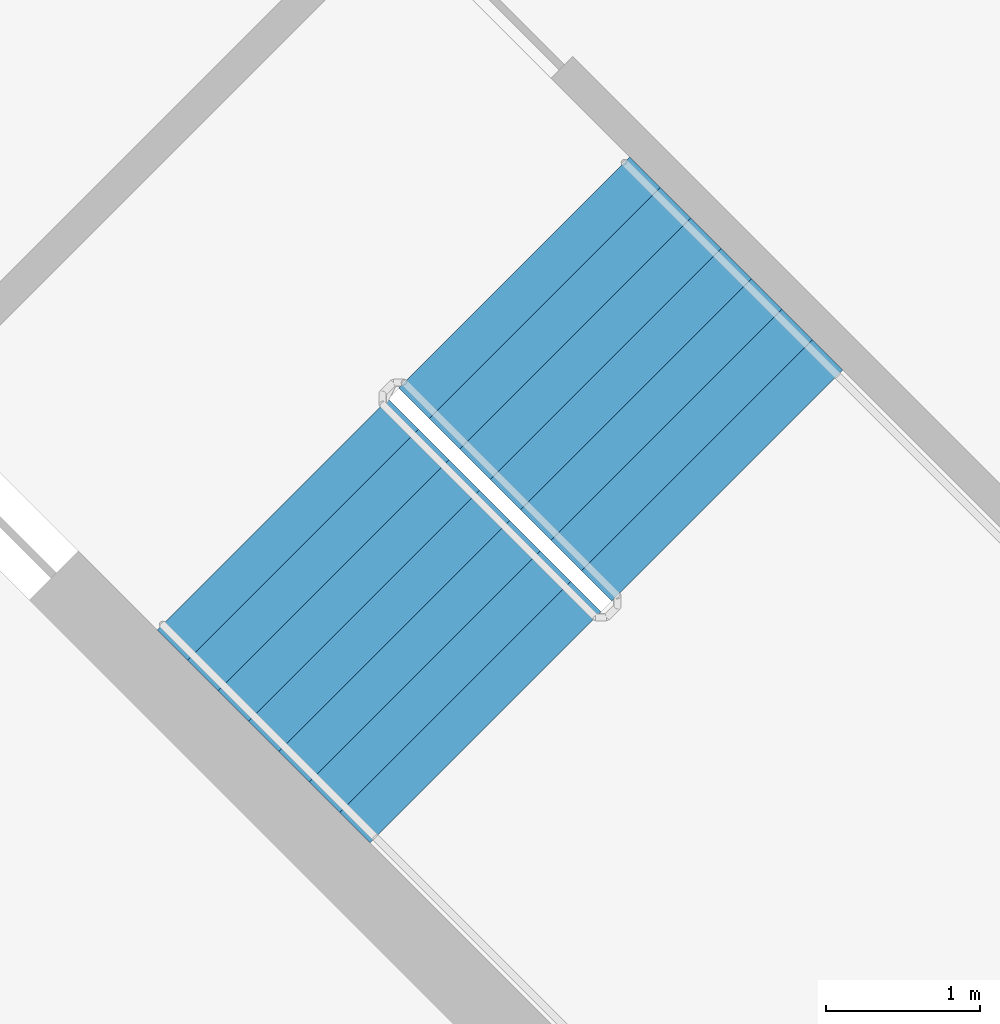
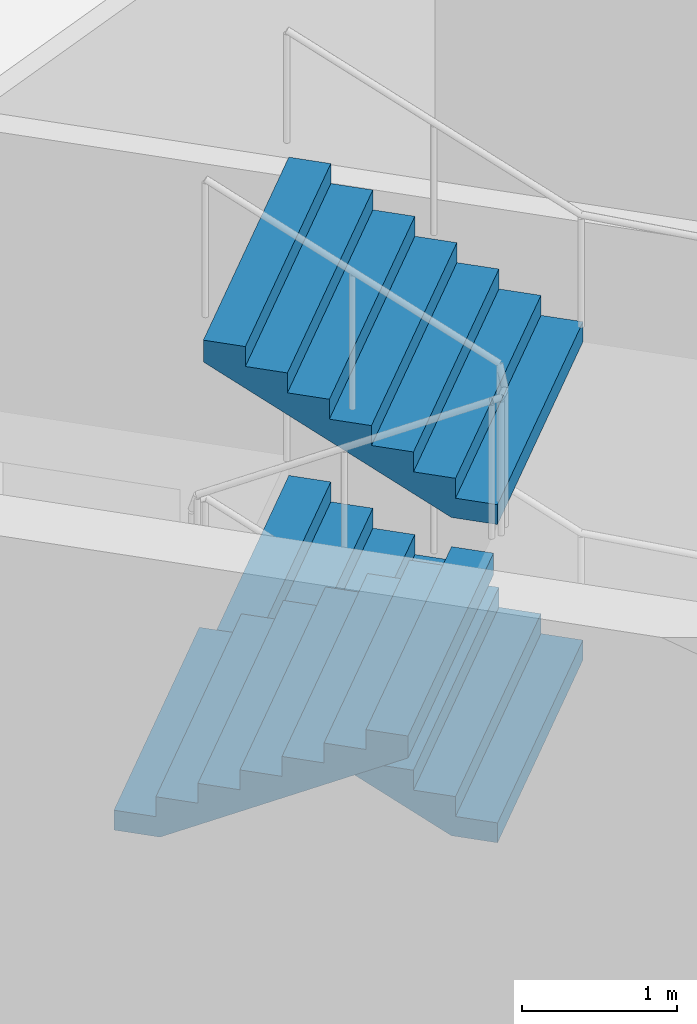
# One storey, part 17 of 21: 3 stair flights, 1 element without a shape of its own.
"""IFC4 building model written with IfcOpenShell, lengths in metres."""

from ifc_helpers import new_model, si_unit, direction, frame, origin, place, context, subcontext, project, spatial, triangles, material, type_object, element, aggregate, save


model = new_model("IFC4")

# Units and contexts
model_context = context("Model", 3, precision=1e-05, world=origin(), true_north=direction((0.0, 1.0)))
body_context = subcontext(model_context, "Body", "Model", "MODEL_VIEW")
ifc_project = project(units=[si_unit("LENGTHUNIT", "METRE"), si_unit("AREAUNIT", "SQUARE_METRE"), si_unit("VOLUMEUNIT", "CUBIC_METRE"), si_unit("PLANEANGLEUNIT", "RADIAN"), si_unit("MASSUNIT", "GRAM", prefix="KILO")], contexts=[model_context])

# Site, building, storey
site_placement = place(None, origin())
site = spatial("IfcSite", under=ifc_project, at=site_placement, CompositionType="ELEMENT")
building_placement = place(site_placement, origin())
building = spatial("IfcBuilding", under=site, at=building_placement, Name="Verdalira Terraces Hotel", CompositionType="ELEMENT")
storey_placement = place(building_placement, frame((0.0, 0.0, 269.0)))
storey = spatial("IfcBuildingStorey", under=building, at=storey_placement, Name="L66", CompositionType="ELEMENT", Elevation=269.0)

# Stair, stair flights
ifc_material_1 = material(Name="Concrete C40", Category="concrete")
stair_type = type_object("IfcStairType", Name="Core stair 32 risers 2125 mm wide", PredefinedType="HALF_TURN_STAIR", material=ifc_material_1)
stair_placement = place(storey_placement, origin())
stair = element("IfcStair", 1, at=stair_placement, inside=storey, type_object=stair_type, Name="L66 Exit stair ST2", PredefinedType="HALF_TURN_STAIR")
ifc_material_2 = material(Name="Concrete C40", Category="concrete")
stair_flight_type = type_object("IfcStairFlightType", Name="Core stair flight 32 risers 2125 mm wide", PredefinedType="STRAIGHT", material=ifc_material_2)
stair_flight_1_placement = place(storey_placement, frame((-7.125977, -7.387451, 1.25), z_axis=(0.0, 0.0, 1.0), x_axis=(-0.707106781, 0.707106781, 0.0)))
stair_flight_1 = element("IfcStairFlight", 2, at=stair_flight_1_placement, type_object=stair_flight_type, Name="ST2 flight 2", NumberOfRisers=8, NumberOfTreads=7, PredefinedType="STRAIGHT", RiserHeight=0.15625, TreadLength=0.28, context=body_context, shape_type="Tessellation", body=[
    triangles([(0.0, 1.0625, 0.0), (0.307617, 1.0625, 0.0), (1.959961, 1.0625, 0.922119), (0.0, -1.0625, 0.0), (0.307617, -1.0625, 0.0), (1.959961, -1.0625, 0.922119), (1.959961, 1.0625, 1.09375), (1.679932, 1.0625, 1.09375), (1.959961, -1.0625, 1.09375), (1.679932, -1.0625, 1.09375), (1.679932, 1.0625, 0.9375), (1.679932, -1.0625, 0.9375), (1.399902, 1.0625, 0.9375), (1.399902, -1.0625, 0.9375), (1.399902, 1.0625, 0.78125), (1.399902, -1.0625, 0.78125), (1.120117, 1.0625, 0.78125), (1.120117, 1.0625, 0.625), (1.120117, -1.0625, 0.78125), (1.120117, -1.0625, 0.625), (0.840088, 1.0625, 0.625), (0.840088, 1.0625, 0.46875), (0.840088, -1.0625, 0.625), (0.840088, -1.0625, 0.46875), (0.560059, 1.0625, 0.46875), (0.560059, 1.0625, 0.3125), (0.560059, -1.0625, 0.46875), (0.560059, -1.0625, 0.3125), (0.280029, 1.0625, 0.3125), (0.280029, 1.0625, 0.15625), (0.280029, -1.0625, 0.3125), (0.280029, -1.0625, 0.15625), (0.0, 1.0625, 0.15625), (0.0, -1.0625, 0.15625), (0.0, -0.996094, 0.0), (0.0, -0.996094, 0.15625), (0.0, -0.929688, 0.0), (0.0, -0.929688, 0.15625), (0.0, -0.863281, 0.0), (0.0, -0.863281, 0.15625), (0.0, -0.796875, 0.0), (0.0, -0.796875, 0.15625), (0.0, -0.730469, 0.0), (0.0, -0.730469, 0.15625), (0.0, -0.664062, 0.0), (0.0, -0.664062, 0.15625), (0.0, -0.597656, 0.0), (0.0, -0.597656, 0.15625), (0.0, -0.53125, 0.0), (0.0, -0.53125, 0.15625), (0.0, -0.464844, 0.0), (0.0, -0.464844, 0.15625), (0.0, -0.398438, 0.0), (0.0, -0.398438, 0.15625), (0.0, -0.332031, 0.0), (0.0, -0.332031, 0.15625), (0.0, -0.265625, 0.0), (0.0, -0.265625, 0.15625), (0.0, -0.199219, 0.0), (0.0, -0.199219, 0.15625), (0.0, -0.132812, 0.0), (0.0, -0.132812, 0.15625), (0.0, -0.066406, 0.0), (0.0, -0.066406, 0.15625), (0.0, 0.0, 0.0), (0.0, 0.0, 0.15625), (0.0, 0.066406, 0.0), (0.0, 0.066406, 0.15625), (0.0, 0.132812, 0.0), (0.0, 0.132812, 0.15625), (0.0, 0.199219, 0.0), (0.0, 0.199219, 0.15625), (0.0, 0.265625, 0.0), (0.0, 0.265625, 0.15625), (0.0, 0.332031, 0.0), (0.0, 0.332031, 0.15625), (0.0, 0.398438, 0.0), (0.0, 0.398438, 0.15625), (0.0, 0.464844, 0.0), (0.0, 0.464844, 0.15625), (0.0, 0.53125, 0.0), (0.0, 0.53125, 0.15625), (0.0, 0.597656, 0.0), (0.0, 0.597656, 0.15625), (0.0, 0.664062, 0.0), (0.0, 0.664062, 0.15625), (0.0, 0.730469, 0.0), (0.0, 0.730469, 0.15625), (0.0, 0.796875, 0.0), (0.0, 0.796875, 0.15625), (0.0, 0.863281, 0.0), (0.0, 0.863281, 0.15625), (0.0, 0.929688, 0.0), (0.0, 0.929688, 0.15625), (0.0, 0.996094, 0.0), (0.0, 0.996094, 0.15625), (1.959961, -0.996094, 1.09375), (1.959961, -0.929688, 1.09375), (1.959961, -0.863281, 1.09375), (1.959961, -0.796875, 1.09375), (1.959961, -0.730469, 1.09375), (1.959961, -0.664062, 1.09375), (1.959961, -0.597656, 1.09375), (1.959961, -0.53125, 1.09375), (1.959961, -0.464844, 1.09375), (1.959961, -0.398438, 1.09375), (1.959961, -0.332031, 1.09375), (1.959961, -0.265625, 1.09375), (1.959961, -0.199219, 1.09375), (1.959961, -0.132812, 1.09375), (1.959961, -0.066406, 1.09375), (1.959961, 0.0, 1.09375), (1.959961, 0.066406, 1.09375), (1.959961, 0.132812, 1.09375), (1.959961, 0.199219, 1.09375), (1.959961, 0.265625, 1.09375), (1.959961, 0.332031, 1.09375), (1.959961, 0.398438, 1.09375), (1.959961, 0.464844, 1.09375), (1.959961, 0.53125, 1.09375), (1.959961, 0.597656, 1.09375), (1.959961, 0.664062, 1.09375), (1.959961, 0.730469, 1.09375), (1.959961, 0.796875, 1.09375), (1.959961, 0.863281, 1.09375), (1.959961, 0.929688, 1.09375), (1.959961, 0.996094, 1.09375), (1.959961, -0.996094, 0.922119), (1.959961, -0.929688, 0.922119), (1.959961, -0.863281, 0.922119), (1.959961, -0.796875, 0.922119), (1.959961, -0.730469, 0.922119), (1.959961, -0.664062, 0.922119), (1.959961, -0.597656, 0.922119), (1.959961, -0.53125, 0.922119), (1.959961, -0.464844, 0.922119), (1.959961, -0.398438, 0.922119), (1.959961, -0.332031, 0.922119), (1.959961, -0.265625, 0.922119), (1.959961, -0.199219, 0.922119), (1.959961, -0.132812, 0.922119), (1.959961, -0.066406, 0.922119), (1.959961, 0.0, 0.922119), (1.959961, 0.066406, 0.922119), (1.959961, 0.132812, 0.922119), (1.959961, 0.199219, 0.922119), (1.959961, 0.265625, 0.922119), (1.959961, 0.332031, 0.922119), (1.959961, 0.398438, 0.922119), (1.959961, 0.464844, 0.922119), (1.959961, 0.53125, 0.922119), (1.959961, 0.597656, 0.922119), (1.959961, 0.664062, 0.922119), (1.959961, 0.730469, 0.922119), (1.959961, 0.796875, 0.922119), (1.959961, 0.863281, 0.922119), (1.959961, 0.929688, 0.922119), (1.959961, 0.996094, 0.922119)], [[1, 3, 2], [4, 5, 6], [3, 8, 7], [6, 9, 10], [3, 11, 8], [6, 10, 12], [3, 13, 11], [6, 12, 14], [3, 15, 13], [6, 14, 16], [15, 18, 17], [16, 19, 20], [3, 18, 15], [6, 16, 20], [18, 22, 21], [20, 23, 24], [3, 22, 18], [6, 20, 24], [22, 26, 25], [24, 27, 28], [3, 26, 22], [6, 24, 28], [26, 30, 29], [28, 31, 32], [3, 30, 26], [6, 28, 32], [1, 30, 3], [4, 6, 32], [30, 1, 33], [32, 34, 4], [4, 36, 35], [4, 34, 36], [35, 38, 37], [35, 36, 38], [37, 40, 39], [37, 38, 40], [39, 42, 41], [39, 40, 42], [41, 44, 43], [41, 42, 44], [43, 46, 45], [43, 44, 46], [45, 48, 47], [45, 46, 48], [47, 50, 49], [47, 48, 50], [49, 52, 51], [49, 50, 52], [51, 54, 53], [51, 52, 54], [53, 56, 55], [53, 54, 56], [55, 58, 57], [55, 56, 58], [57, 60, 59], [57, 58, 60], [59, 62, 61], [59, 60, 62], [61, 64, 63], [61, 62, 64], [63, 66, 65], [63, 64, 66], [65, 68, 67], [65, 66, 68], [67, 70, 69], [67, 68, 70], [69, 72, 71], [69, 70, 72], [71, 74, 73], [71, 72, 74], [73, 76, 75], [73, 74, 76], [75, 78, 77], [75, 76, 78], [77, 80, 79], [77, 78, 80], [79, 82, 81], [79, 80, 82], [81, 84, 83], [81, 82, 84], [83, 86, 85], [83, 84, 86], [85, 88, 87], [85, 86, 88], [87, 90, 89], [87, 88, 90], [89, 92, 91], [89, 90, 92], [91, 94, 93], [91, 92, 94], [93, 96, 95], [93, 94, 96], [95, 33, 1], [95, 96, 33], [34, 32, 36], [36, 32, 38], [38, 32, 40], [40, 32, 42], [42, 32, 44], [44, 32, 46], [46, 32, 48], [48, 32, 50], [50, 32, 52], [52, 32, 54], [54, 32, 56], [56, 32, 58], [58, 32, 60], [60, 32, 62], [62, 32, 64], [64, 32, 66], [66, 32, 68], [68, 32, 70], [70, 32, 72], [72, 32, 74], [74, 32, 76], [76, 32, 78], [78, 32, 80], [80, 32, 82], [82, 32, 84], [84, 32, 86], [86, 32, 88], [88, 32, 90], [90, 32, 92], [92, 32, 94], [94, 32, 96], [96, 32, 33], [33, 32, 30], [32, 29, 30], [32, 31, 29], [31, 26, 29], [31, 28, 26], [28, 25, 26], [28, 27, 25], [27, 22, 25], [27, 24, 22], [24, 21, 22], [24, 23, 21], [23, 18, 21], [23, 20, 18], [20, 17, 18], [20, 19, 17], [19, 15, 17], [19, 16, 15], [16, 13, 15], [16, 14, 13], [14, 11, 13], [14, 12, 11], [12, 8, 11], [12, 10, 8], [9, 97, 10], [97, 98, 10], [98, 99, 10], [99, 100, 10], [100, 101, 10], [101, 102, 10], [102, 103, 10], [103, 104, 10], [104, 105, 10], [105, 106, 10], [106, 107, 10], [107, 108, 10], [108, 109, 10], [109, 110, 10], [110, 111, 10], [111, 112, 10], [112, 113, 10], [113, 114, 10], [114, 115, 10], [115, 116, 10], [116, 117, 10], [117, 118, 10], [118, 119, 10], [119, 120, 10], [120, 121, 10], [121, 122, 10], [122, 123, 10], [123, 124, 10], [124, 125, 10], [125, 126, 10], [126, 127, 10], [127, 7, 10], [7, 8, 10], [9, 128, 97], [9, 6, 128], [97, 129, 98], [97, 128, 129], [98, 130, 99], [98, 129, 130], [99, 131, 100], [99, 130, 131], [100, 132, 101], [100, 131, 132], [101, 133, 102], [101, 132, 133], [102, 134, 103], [102, 133, 134], [103, 135, 104], [103, 134, 135], [104, 136, 105], [104, 135, 136], [105, 137, 106], [105, 136, 137], [106, 138, 107], [106, 137, 138], [107, 139, 108], [107, 138, 139], [108, 140, 109], [108, 139, 140], [109, 141, 110], [109, 140, 141], [110, 142, 111], [110, 141, 142], [111, 143, 112], [111, 142, 143], [112, 144, 113], [112, 143, 144], [113, 145, 114], [113, 144, 145], [114, 146, 115], [114, 145, 146], [115, 147, 116], [115, 146, 147], [116, 148, 117], [116, 147, 148], [117, 149, 118], [117, 148, 149], [118, 150, 119], [118, 149, 150], [119, 151, 120], [119, 150, 151], [120, 152, 121], [120, 151, 152], [121, 153, 122], [121, 152, 153], [122, 154, 123], [122, 153, 154], [123, 155, 124], [123, 154, 155], [124, 156, 125], [124, 155, 156], [125, 157, 126], [125, 156, 157], [126, 158, 127], [126, 157, 158], [127, 3, 7], [127, 158, 3], [6, 5, 128], [128, 5, 129], [129, 5, 130], [130, 5, 131], [131, 5, 132], [132, 5, 133], [133, 5, 134], [134, 5, 135], [135, 5, 136], [136, 5, 137], [137, 5, 138], [138, 5, 139], [139, 5, 140], [140, 5, 141], [141, 5, 142], [142, 5, 143], [143, 5, 144], [144, 5, 145], [145, 5, 146], [146, 5, 147], [147, 5, 148], [148, 5, 149], [149, 5, 150], [150, 5, 151], [151, 5, 152], [152, 5, 153], [153, 5, 154], [154, 5, 155], [155, 5, 156], [156, 5, 157], [157, 5, 158], [158, 5, 3], [3, 5, 2], [4, 35, 5], [35, 37, 5], [37, 39, 5], [39, 41, 5], [41, 43, 5], [43, 45, 5], [45, 47, 5], [47, 49, 5], [49, 51, 5], [51, 53, 5], [53, 55, 5], [55, 57, 5], [57, 59, 5], [59, 61, 5], [61, 63, 5], [63, 65, 5], [65, 67, 5], [67, 69, 5], [69, 71, 5], [71, 73, 5], [73, 75, 5], [75, 77, 5], [77, 79, 5], [79, 81, 5], [81, 83, 5], [83, 85, 5], [85, 87, 5], [87, 89, 5], [89, 91, 5], [91, 93, 5], [93, 95, 5], [95, 1, 5], [1, 2, 5]], closed=True),
])
stair_flight_2_placement = place(storey_placement, frame((-10.085205, -7.574951, 2.5), z_axis=(0.0, 0.0, 1.0), x_axis=(0.707106781, -0.707106781, 0.0)))
stair_flight_2 = element("IfcStairFlight", 3, at=stair_flight_2_placement, type_object=stair_flight_type, Name="ST2 flight 3", NumberOfRisers=8, NumberOfTreads=7, PredefinedType="STRAIGHT", RiserHeight=0.15625, TreadLength=0.28, context=body_context, shape_type="Tessellation", body=[
    triangles([(0.0, 1.0625, 0.0), (0.307617, 1.0625, 0.0), (1.959961, 1.0625, 0.922119), (0.0, -1.0625, 0.0), (0.307617, -1.0625, 0.0), (1.959961, -1.0625, 0.922119), (1.959961, 1.0625, 1.09375), (1.679932, 1.0625, 1.09375), (1.959961, -1.0625, 1.09375), (1.679932, -1.0625, 1.09375), (1.679932, 1.0625, 0.9375), (1.679932, -1.0625, 0.9375), (1.399902, 1.0625, 0.9375), (1.399902, -1.0625, 0.9375), (1.399902, 1.0625, 0.78125), (1.399902, -1.0625, 0.78125), (1.120117, 1.0625, 0.78125), (1.120117, 1.0625, 0.625), (1.120117, -1.0625, 0.78125), (1.120117, -1.0625, 0.625), (0.840088, 1.0625, 0.625), (0.840088, 1.0625, 0.46875), (0.840088, -1.0625, 0.625), (0.840088, -1.0625, 0.46875), (0.560059, 1.0625, 0.46875), (0.560059, 1.0625, 0.3125), (0.560059, -1.0625, 0.46875), (0.560059, -1.0625, 0.3125), (0.280029, 1.0625, 0.3125), (0.280029, 1.0625, 0.15625), (0.280029, -1.0625, 0.3125), (0.280029, -1.0625, 0.15625), (0.0, 1.0625, 0.15625), (0.0, -1.0625, 0.15625), (0.0, -0.996094, 0.0), (0.0, -0.996094, 0.15625), (0.0, -0.929688, 0.0), (0.0, -0.929688, 0.15625), (0.0, -0.863281, 0.0), (0.0, -0.863281, 0.15625), (0.0, -0.796875, 0.0), (0.0, -0.796875, 0.15625), (0.0, -0.730469, 0.0), (0.0, -0.730469, 0.15625), (0.0, -0.664062, 0.0), (0.0, -0.664062, 0.15625), (0.0, -0.597656, 0.0), (0.0, -0.597656, 0.15625), (0.0, -0.53125, 0.0), (0.0, -0.53125, 0.15625), (0.0, -0.464844, 0.0), (0.0, -0.464844, 0.15625), (0.0, -0.398438, 0.0), (0.0, -0.398438, 0.15625), (0.0, -0.332031, 0.0), (0.0, -0.332031, 0.15625), (0.0, -0.265625, 0.0), (0.0, -0.265625, 0.15625), (0.0, -0.199219, 0.0), (0.0, -0.199219, 0.15625), (0.0, -0.132812, 0.0), (0.0, -0.132812, 0.15625), (0.0, -0.066406, 0.0), (0.0, -0.066406, 0.15625), (0.0, 0.0, 0.0), (0.0, 0.0, 0.15625), (0.0, 0.066406, 0.0), (0.0, 0.066406, 0.15625), (0.0, 0.132812, 0.0), (0.0, 0.132812, 0.15625), (0.0, 0.199219, 0.0), (0.0, 0.199219, 0.15625), (0.0, 0.265625, 0.0), (0.0, 0.265625, 0.15625), (0.0, 0.332031, 0.0), (0.0, 0.332031, 0.15625), (0.0, 0.398438, 0.0), (0.0, 0.398438, 0.15625), (0.0, 0.464844, 0.0), (0.0, 0.464844, 0.15625), (0.0, 0.53125, 0.0), (0.0, 0.53125, 0.15625), (0.0, 0.597656, 0.0), (0.0, 0.597656, 0.15625), (0.0, 0.664062, 0.0), (0.0, 0.664062, 0.15625), (0.0, 0.730469, 0.0), (0.0, 0.730469, 0.15625), (0.0, 0.796875, 0.0), (0.0, 0.796875, 0.15625), (0.0, 0.863281, 0.0), (0.0, 0.863281, 0.15625), (0.0, 0.929688, 0.0), (0.0, 0.929688, 0.15625), (0.0, 0.996094, 0.0), (0.0, 0.996094, 0.15625), (1.959961, -0.996094, 1.09375), (1.959961, -0.929688, 1.09375), (1.959961, -0.863281, 1.09375), (1.959961, -0.796875, 1.09375), (1.959961, -0.730469, 1.09375), (1.959961, -0.664062, 1.09375), (1.959961, -0.597656, 1.09375), (1.959961, -0.53125, 1.09375), (1.959961, -0.464844, 1.09375), (1.959961, -0.398438, 1.09375), (1.959961, -0.332031, 1.09375), (1.959961, -0.265625, 1.09375), (1.959961, -0.199219, 1.09375), (1.959961, -0.132812, 1.09375), (1.959961, -0.066406, 1.09375), (1.959961, 0.0, 1.09375), (1.959961, 0.066406, 1.09375), (1.959961, 0.132812, 1.09375), (1.959961, 0.199219, 1.09375), (1.959961, 0.265625, 1.09375), (1.959961, 0.332031, 1.09375), (1.959961, 0.398438, 1.09375), (1.959961, 0.464844, 1.09375), (1.959961, 0.53125, 1.09375), (1.959961, 0.597656, 1.09375), (1.959961, 0.664062, 1.09375), (1.959961, 0.730469, 1.09375), (1.959961, 0.796875, 1.09375), (1.959961, 0.863281, 1.09375), (1.959961, 0.929688, 1.09375), (1.959961, 0.996094, 1.09375), (1.959961, -0.996094, 0.922119), (1.959961, -0.929688, 0.922119), (1.959961, -0.863281, 0.922119), (1.959961, -0.796875, 0.922119), (1.959961, -0.730469, 0.922119), (1.959961, -0.664062, 0.922119), (1.959961, -0.597656, 0.922119), (1.959961, -0.53125, 0.922119), (1.959961, -0.464844, 0.922119), (1.959961, -0.398438, 0.922119), (1.959961, -0.332031, 0.922119), (1.959961, -0.265625, 0.922119), (1.959961, -0.199219, 0.922119), (1.959961, -0.132812, 0.922119), (1.959961, -0.066406, 0.922119), (1.959961, 0.0, 0.922119), (1.959961, 0.066406, 0.922119), (1.959961, 0.132812, 0.922119), (1.959961, 0.199219, 0.922119), (1.959961, 0.265625, 0.922119), (1.959961, 0.332031, 0.922119), (1.959961, 0.398438, 0.922119), (1.959961, 0.464844, 0.922119), (1.959961, 0.53125, 0.922119), (1.959961, 0.597656, 0.922119), (1.959961, 0.664062, 0.922119), (1.959961, 0.730469, 0.922119), (1.959961, 0.796875, 0.922119), (1.959961, 0.863281, 0.922119), (1.959961, 0.929688, 0.922119), (1.959961, 0.996094, 0.922119)], [[1, 3, 2], [4, 5, 6], [3, 8, 7], [6, 9, 10], [3, 11, 8], [6, 10, 12], [3, 13, 11], [6, 12, 14], [3, 15, 13], [6, 14, 16], [15, 18, 17], [16, 19, 20], [3, 18, 15], [6, 16, 20], [18, 22, 21], [20, 23, 24], [3, 22, 18], [6, 20, 24], [22, 26, 25], [24, 27, 28], [3, 26, 22], [6, 24, 28], [26, 30, 29], [28, 31, 32], [3, 30, 26], [6, 28, 32], [1, 30, 3], [4, 6, 32], [30, 1, 33], [32, 34, 4], [4, 36, 35], [4, 34, 36], [35, 38, 37], [35, 36, 38], [37, 40, 39], [37, 38, 40], [39, 42, 41], [39, 40, 42], [41, 44, 43], [41, 42, 44], [43, 46, 45], [43, 44, 46], [45, 48, 47], [45, 46, 48], [47, 50, 49], [47, 48, 50], [49, 52, 51], [49, 50, 52], [51, 54, 53], [51, 52, 54], [53, 56, 55], [53, 54, 56], [55, 58, 57], [55, 56, 58], [57, 60, 59], [57, 58, 60], [59, 62, 61], [59, 60, 62], [61, 64, 63], [61, 62, 64], [63, 66, 65], [63, 64, 66], [65, 68, 67], [65, 66, 68], [67, 70, 69], [67, 68, 70], [69, 72, 71], [69, 70, 72], [71, 74, 73], [71, 72, 74], [73, 76, 75], [73, 74, 76], [75, 78, 77], [75, 76, 78], [77, 80, 79], [77, 78, 80], [79, 82, 81], [79, 80, 82], [81, 84, 83], [81, 82, 84], [83, 86, 85], [83, 84, 86], [85, 88, 87], [85, 86, 88], [87, 90, 89], [87, 88, 90], [89, 92, 91], [89, 90, 92], [91, 94, 93], [91, 92, 94], [93, 96, 95], [93, 94, 96], [95, 33, 1], [95, 96, 33], [34, 32, 36], [36, 32, 38], [38, 32, 40], [40, 32, 42], [42, 32, 44], [44, 32, 46], [46, 32, 48], [48, 32, 50], [50, 32, 52], [52, 32, 54], [54, 32, 56], [56, 32, 58], [58, 32, 60], [60, 32, 62], [62, 32, 64], [64, 32, 66], [66, 32, 68], [68, 32, 70], [70, 32, 72], [72, 32, 74], [74, 32, 76], [76, 32, 78], [78, 32, 80], [80, 32, 82], [82, 32, 84], [84, 32, 86], [86, 32, 88], [88, 32, 90], [90, 32, 92], [92, 32, 94], [94, 32, 96], [96, 32, 33], [33, 32, 30], [32, 29, 30], [32, 31, 29], [31, 26, 29], [31, 28, 26], [28, 25, 26], [28, 27, 25], [27, 22, 25], [27, 24, 22], [24, 21, 22], [24, 23, 21], [23, 18, 21], [23, 20, 18], [20, 17, 18], [20, 19, 17], [19, 15, 17], [19, 16, 15], [16, 13, 15], [16, 14, 13], [14, 11, 13], [14, 12, 11], [12, 8, 11], [12, 10, 8], [9, 97, 10], [97, 98, 10], [98, 99, 10], [99, 100, 10], [100, 101, 10], [101, 102, 10], [102, 103, 10], [103, 104, 10], [104, 105, 10], [105, 106, 10], [106, 107, 10], [107, 108, 10], [108, 109, 10], [109, 110, 10], [110, 111, 10], [111, 112, 10], [112, 113, 10], [113, 114, 10], [114, 115, 10], [115, 116, 10], [116, 117, 10], [117, 118, 10], [118, 119, 10], [119, 120, 10], [120, 121, 10], [121, 122, 10], [122, 123, 10], [123, 124, 10], [124, 125, 10], [125, 126, 10], [126, 127, 10], [127, 7, 10], [7, 8, 10], [9, 128, 97], [9, 6, 128], [97, 129, 98], [97, 128, 129], [98, 130, 99], [98, 129, 130], [99, 131, 100], [99, 130, 131], [100, 132, 101], [100, 131, 132], [101, 133, 102], [101, 132, 133], [102, 134, 103], [102, 133, 134], [103, 135, 104], [103, 134, 135], [104, 136, 105], [104, 135, 136], [105, 137, 106], [105, 136, 137], [106, 138, 107], [106, 137, 138], [107, 139, 108], [107, 138, 139], [108, 140, 109], [108, 139, 140], [109, 141, 110], [109, 140, 141], [110, 142, 111], [110, 141, 142], [111, 143, 112], [111, 142, 143], [112, 144, 113], [112, 143, 144], [113, 145, 114], [113, 144, 145], [114, 146, 115], [114, 145, 146], [115, 147, 116], [115, 146, 147], [116, 148, 117], [116, 147, 148], [117, 149, 118], [117, 148, 149], [118, 150, 119], [118, 149, 150], [119, 151, 120], [119, 150, 151], [120, 152, 121], [120, 151, 152], [121, 153, 122], [121, 152, 153], [122, 154, 123], [122, 153, 154], [123, 155, 124], [123, 154, 155], [124, 156, 125], [124, 155, 156], [125, 157, 126], [125, 156, 157], [126, 158, 127], [126, 157, 158], [127, 3, 7], [127, 158, 3], [6, 5, 128], [128, 5, 129], [129, 5, 130], [130, 5, 131], [131, 5, 132], [132, 5, 133], [133, 5, 134], [134, 5, 135], [135, 5, 136], [136, 5, 137], [137, 5, 138], [138, 5, 139], [139, 5, 140], [140, 5, 141], [141, 5, 142], [142, 5, 143], [143, 5, 144], [144, 5, 145], [145, 5, 146], [146, 5, 147], [147, 5, 148], [148, 5, 149], [149, 5, 150], [150, 5, 151], [151, 5, 152], [152, 5, 153], [153, 5, 154], [154, 5, 155], [155, 5, 156], [156, 5, 157], [157, 5, 158], [158, 5, 3], [3, 5, 2], [4, 35, 5], [35, 37, 5], [37, 39, 5], [39, 41, 5], [41, 43, 5], [43, 45, 5], [45, 47, 5], [47, 49, 5], [49, 51, 5], [51, 53, 5], [53, 55, 5], [55, 57, 5], [57, 59, 5], [59, 61, 5], [61, 63, 5], [63, 65, 5], [65, 67, 5], [67, 69, 5], [69, 71, 5], [71, 73, 5], [73, 75, 5], [75, 77, 5], [77, 79, 5], [79, 81, 5], [81, 83, 5], [83, 85, 5], [85, 87, 5], [87, 89, 5], [89, 91, 5], [91, 93, 5], [93, 95, 5], [95, 1, 5], [1, 2, 5]], closed=True),
])
stair_flight_3_placement = place(storey_placement, frame((-7.125977, -7.387451, 3.75), z_axis=(0.0, 0.0, 1.0), x_axis=(-0.707106781, 0.707106781, 0.0)))
stair_flight_3 = element("IfcStairFlight", 4, at=stair_flight_3_placement, type_object=stair_flight_type, Name="ST2 flight 4", NumberOfRisers=8, NumberOfTreads=7, PredefinedType="STRAIGHT", RiserHeight=0.15625, TreadLength=0.28, context=body_context, shape_type="Tessellation", body=[
    triangles([(0.0, 1.0625, 0.0), (0.307617, 1.0625, 0.0), (1.959961, 1.0625, 0.922119), (0.0, -1.0625, 0.0), (0.307617, -1.0625, 0.0), (1.959961, -1.0625, 0.922119), (1.959961, 1.0625, 1.09375), (1.679932, 1.0625, 1.09375), (1.959961, -1.0625, 1.09375), (1.679932, -1.0625, 1.09375), (1.679932, 1.0625, 0.9375), (1.679932, -1.0625, 0.9375), (1.399902, 1.0625, 0.9375), (1.399902, -1.0625, 0.9375), (1.399902, 1.0625, 0.78125), (1.399902, -1.0625, 0.78125), (1.120117, 1.0625, 0.78125), (1.120117, 1.0625, 0.625), (1.120117, -1.0625, 0.78125), (1.120117, -1.0625, 0.625), (0.840088, 1.0625, 0.625), (0.840088, 1.0625, 0.46875), (0.840088, -1.0625, 0.625), (0.840088, -1.0625, 0.46875), (0.560059, 1.0625, 0.46875), (0.560059, 1.0625, 0.3125), (0.560059, -1.0625, 0.46875), (0.560059, -1.0625, 0.3125), (0.280029, 1.0625, 0.3125), (0.280029, 1.0625, 0.15625), (0.280029, -1.0625, 0.3125), (0.280029, -1.0625, 0.15625), (0.0, 1.0625, 0.15625), (0.0, -1.0625, 0.15625), (0.0, -0.996094, 0.0), (0.0, -0.996094, 0.15625), (0.0, -0.929688, 0.0), (0.0, -0.929688, 0.15625), (0.0, -0.863281, 0.0), (0.0, -0.863281, 0.15625), (0.0, -0.796875, 0.0), (0.0, -0.796875, 0.15625), (0.0, -0.730469, 0.0), (0.0, -0.730469, 0.15625), (0.0, -0.664062, 0.0), (0.0, -0.664062, 0.15625), (0.0, -0.597656, 0.0), (0.0, -0.597656, 0.15625), (0.0, -0.53125, 0.0), (0.0, -0.53125, 0.15625), (0.0, -0.464844, 0.0), (0.0, -0.464844, 0.15625), (0.0, -0.398438, 0.0), (0.0, -0.398438, 0.15625), (0.0, -0.332031, 0.0), (0.0, -0.332031, 0.15625), (0.0, -0.265625, 0.0), (0.0, -0.265625, 0.15625), (0.0, -0.199219, 0.0), (0.0, -0.199219, 0.15625), (0.0, -0.132812, 0.0), (0.0, -0.132812, 0.15625), (0.0, -0.066406, 0.0), (0.0, -0.066406, 0.15625), (0.0, 0.0, 0.0), (0.0, 0.0, 0.15625), (0.0, 0.066406, 0.0), (0.0, 0.066406, 0.15625), (0.0, 0.132812, 0.0), (0.0, 0.132812, 0.15625), (0.0, 0.199219, 0.0), (0.0, 0.199219, 0.15625), (0.0, 0.265625, 0.0), (0.0, 0.265625, 0.15625), (0.0, 0.332031, 0.0), (0.0, 0.332031, 0.15625), (0.0, 0.398438, 0.0), (0.0, 0.398438, 0.15625), (0.0, 0.464844, 0.0), (0.0, 0.464844, 0.15625), (0.0, 0.53125, 0.0), (0.0, 0.53125, 0.15625), (0.0, 0.597656, 0.0), (0.0, 0.597656, 0.15625), (0.0, 0.664062, 0.0), (0.0, 0.664062, 0.15625), (0.0, 0.730469, 0.0), (0.0, 0.730469, 0.15625), (0.0, 0.796875, 0.0), (0.0, 0.796875, 0.15625), (0.0, 0.863281, 0.0), (0.0, 0.863281, 0.15625), (0.0, 0.929688, 0.0), (0.0, 0.929688, 0.15625), (0.0, 0.996094, 0.0), (0.0, 0.996094, 0.15625), (1.959961, -0.996094, 1.09375), (1.959961, -0.929688, 1.09375), (1.959961, -0.863281, 1.09375), (1.959961, -0.796875, 1.09375), (1.959961, -0.730469, 1.09375), (1.959961, -0.664062, 1.09375), (1.959961, -0.597656, 1.09375), (1.959961, -0.53125, 1.09375), (1.959961, -0.464844, 1.09375), (1.959961, -0.398438, 1.09375), (1.959961, -0.332031, 1.09375), (1.959961, -0.265625, 1.09375), (1.959961, -0.199219, 1.09375), (1.959961, -0.132812, 1.09375), (1.959961, -0.066406, 1.09375), (1.959961, 0.0, 1.09375), (1.959961, 0.066406, 1.09375), (1.959961, 0.132812, 1.09375), (1.959961, 0.199219, 1.09375), (1.959961, 0.265625, 1.09375), (1.959961, 0.332031, 1.09375), (1.959961, 0.398438, 1.09375), (1.959961, 0.464844, 1.09375), (1.959961, 0.53125, 1.09375), (1.959961, 0.597656, 1.09375), (1.959961, 0.664062, 1.09375), (1.959961, 0.730469, 1.09375), (1.959961, 0.796875, 1.09375), (1.959961, 0.863281, 1.09375), (1.959961, 0.929688, 1.09375), (1.959961, 0.996094, 1.09375), (1.959961, -0.996094, 0.922119), (1.959961, -0.929688, 0.922119), (1.959961, -0.863281, 0.922119), (1.959961, -0.796875, 0.922119), (1.959961, -0.730469, 0.922119), (1.959961, -0.664062, 0.922119), (1.959961, -0.597656, 0.922119), (1.959961, -0.53125, 0.922119), (1.959961, -0.464844, 0.922119), (1.959961, -0.398438, 0.922119), (1.959961, -0.332031, 0.922119), (1.959961, -0.265625, 0.922119), (1.959961, -0.199219, 0.922119), (1.959961, -0.132812, 0.922119), (1.959961, -0.066406, 0.922119), (1.959961, 0.0, 0.922119), (1.959961, 0.066406, 0.922119), (1.959961, 0.132812, 0.922119), (1.959961, 0.199219, 0.922119), (1.959961, 0.265625, 0.922119), (1.959961, 0.332031, 0.922119), (1.959961, 0.398438, 0.922119), (1.959961, 0.464844, 0.922119), (1.959961, 0.53125, 0.922119), (1.959961, 0.597656, 0.922119), (1.959961, 0.664062, 0.922119), (1.959961, 0.730469, 0.922119), (1.959961, 0.796875, 0.922119), (1.959961, 0.863281, 0.922119), (1.959961, 0.929688, 0.922119), (1.959961, 0.996094, 0.922119)], [[1, 3, 2], [4, 5, 6], [3, 8, 7], [6, 9, 10], [3, 11, 8], [6, 10, 12], [3, 13, 11], [6, 12, 14], [3, 15, 13], [6, 14, 16], [15, 18, 17], [16, 19, 20], [3, 18, 15], [6, 16, 20], [18, 22, 21], [20, 23, 24], [3, 22, 18], [6, 20, 24], [22, 26, 25], [24, 27, 28], [3, 26, 22], [6, 24, 28], [26, 30, 29], [28, 31, 32], [3, 30, 26], [6, 28, 32], [1, 30, 3], [4, 6, 32], [30, 1, 33], [32, 34, 4], [4, 36, 35], [4, 34, 36], [35, 38, 37], [35, 36, 38], [37, 40, 39], [37, 38, 40], [39, 42, 41], [39, 40, 42], [41, 44, 43], [41, 42, 44], [43, 46, 45], [43, 44, 46], [45, 48, 47], [45, 46, 48], [47, 50, 49], [47, 48, 50], [49, 52, 51], [49, 50, 52], [51, 54, 53], [51, 52, 54], [53, 56, 55], [53, 54, 56], [55, 58, 57], [55, 56, 58], [57, 60, 59], [57, 58, 60], [59, 62, 61], [59, 60, 62], [61, 64, 63], [61, 62, 64], [63, 66, 65], [63, 64, 66], [65, 68, 67], [65, 66, 68], [67, 70, 69], [67, 68, 70], [69, 72, 71], [69, 70, 72], [71, 74, 73], [71, 72, 74], [73, 76, 75], [73, 74, 76], [75, 78, 77], [75, 76, 78], [77, 80, 79], [77, 78, 80], [79, 82, 81], [79, 80, 82], [81, 84, 83], [81, 82, 84], [83, 86, 85], [83, 84, 86], [85, 88, 87], [85, 86, 88], [87, 90, 89], [87, 88, 90], [89, 92, 91], [89, 90, 92], [91, 94, 93], [91, 92, 94], [93, 96, 95], [93, 94, 96], [95, 33, 1], [95, 96, 33], [34, 32, 36], [36, 32, 38], [38, 32, 40], [40, 32, 42], [42, 32, 44], [44, 32, 46], [46, 32, 48], [48, 32, 50], [50, 32, 52], [52, 32, 54], [54, 32, 56], [56, 32, 58], [58, 32, 60], [60, 32, 62], [62, 32, 64], [64, 32, 66], [66, 32, 68], [68, 32, 70], [70, 32, 72], [72, 32, 74], [74, 32, 76], [76, 32, 78], [78, 32, 80], [80, 32, 82], [82, 32, 84], [84, 32, 86], [86, 32, 88], [88, 32, 90], [90, 32, 92], [92, 32, 94], [94, 32, 96], [96, 32, 33], [33, 32, 30], [32, 29, 30], [32, 31, 29], [31, 26, 29], [31, 28, 26], [28, 25, 26], [28, 27, 25], [27, 22, 25], [27, 24, 22], [24, 21, 22], [24, 23, 21], [23, 18, 21], [23, 20, 18], [20, 17, 18], [20, 19, 17], [19, 15, 17], [19, 16, 15], [16, 13, 15], [16, 14, 13], [14, 11, 13], [14, 12, 11], [12, 8, 11], [12, 10, 8], [9, 97, 10], [97, 98, 10], [98, 99, 10], [99, 100, 10], [100, 101, 10], [101, 102, 10], [102, 103, 10], [103, 104, 10], [104, 105, 10], [105, 106, 10], [106, 107, 10], [107, 108, 10], [108, 109, 10], [109, 110, 10], [110, 111, 10], [111, 112, 10], [112, 113, 10], [113, 114, 10], [114, 115, 10], [115, 116, 10], [116, 117, 10], [117, 118, 10], [118, 119, 10], [119, 120, 10], [120, 121, 10], [121, 122, 10], [122, 123, 10], [123, 124, 10], [124, 125, 10], [125, 126, 10], [126, 127, 10], [127, 7, 10], [7, 8, 10], [9, 128, 97], [9, 6, 128], [97, 129, 98], [97, 128, 129], [98, 130, 99], [98, 129, 130], [99, 131, 100], [99, 130, 131], [100, 132, 101], [100, 131, 132], [101, 133, 102], [101, 132, 133], [102, 134, 103], [102, 133, 134], [103, 135, 104], [103, 134, 135], [104, 136, 105], [104, 135, 136], [105, 137, 106], [105, 136, 137], [106, 138, 107], [106, 137, 138], [107, 139, 108], [107, 138, 139], [108, 140, 109], [108, 139, 140], [109, 141, 110], [109, 140, 141], [110, 142, 111], [110, 141, 142], [111, 143, 112], [111, 142, 143], [112, 144, 113], [112, 143, 144], [113, 145, 114], [113, 144, 145], [114, 146, 115], [114, 145, 146], [115, 147, 116], [115, 146, 147], [116, 148, 117], [116, 147, 148], [117, 149, 118], [117, 148, 149], [118, 150, 119], [118, 149, 150], [119, 151, 120], [119, 150, 151], [120, 152, 121], [120, 151, 152], [121, 153, 122], [121, 152, 153], [122, 154, 123], [122, 153, 154], [123, 155, 124], [123, 154, 155], [124, 156, 125], [124, 155, 156], [125, 157, 126], [125, 156, 157], [126, 158, 127], [126, 157, 158], [127, 3, 7], [127, 158, 3], [6, 5, 128], [128, 5, 129], [129, 5, 130], [130, 5, 131], [131, 5, 132], [132, 5, 133], [133, 5, 134], [134, 5, 135], [135, 5, 136], [136, 5, 137], [137, 5, 138], [138, 5, 139], [139, 5, 140], [140, 5, 141], [141, 5, 142], [142, 5, 143], [143, 5, 144], [144, 5, 145], [145, 5, 146], [146, 5, 147], [147, 5, 148], [148, 5, 149], [149, 5, 150], [150, 5, 151], [151, 5, 152], [152, 5, 153], [153, 5, 154], [154, 5, 155], [155, 5, 156], [156, 5, 157], [157, 5, 158], [158, 5, 3], [3, 5, 2], [4, 35, 5], [35, 37, 5], [37, 39, 5], [39, 41, 5], [41, 43, 5], [43, 45, 5], [45, 47, 5], [47, 49, 5], [49, 51, 5], [51, 53, 5], [53, 55, 5], [55, 57, 5], [57, 59, 5], [59, 61, 5], [61, 63, 5], [63, 65, 5], [65, 67, 5], [67, 69, 5], [69, 71, 5], [71, 73, 5], [73, 75, 5], [75, 77, 5], [77, 79, 5], [79, 81, 5], [81, 83, 5], [83, 85, 5], [85, 87, 5], [87, 89, 5], [89, 91, 5], [91, 93, 5], [93, 95, 5], [95, 1, 5], [1, 2, 5]], closed=True),
])
aggregate(stair, [stair_flight_1, stair_flight_2, stair_flight_3])

save(model, "model.ifc")
